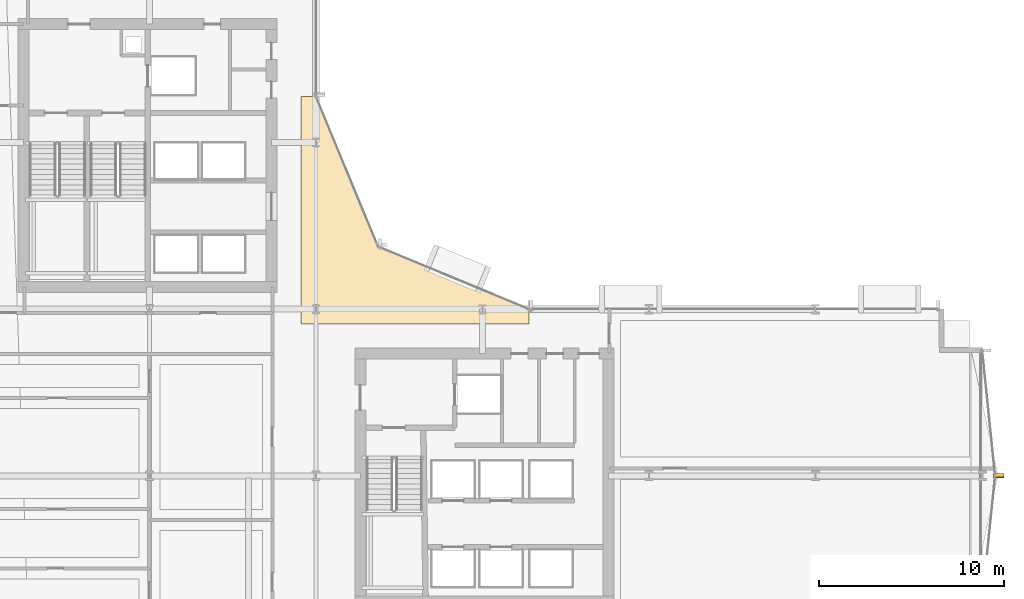
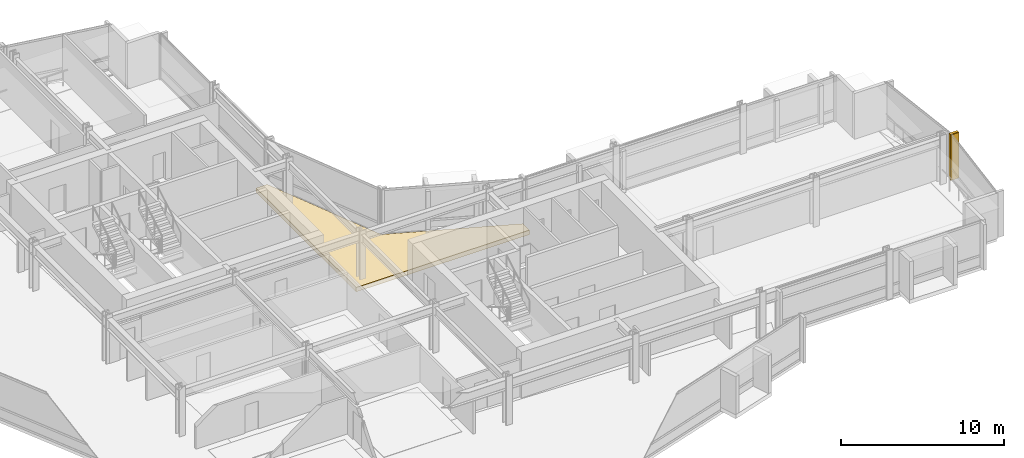
# One storey, part 34 of 34: 3 coverings.
"""IFC4 building model written with IfcOpenShell, lengths in metres."""

from ifc_helpers import new_model, si_unit, direction, frame, origin, origin_2d, place, context, subcontext, project, spatial, polyline, rectangle, outline, extrude, material, layer, layer_set, type_object, element, save


model = new_model("IFC4")

# Units and contexts
model_context = context("Model", 3, precision=1e-05, world=origin(), true_north=direction((0.0, 1.0)))
body_context = subcontext(model_context, "Body", "Model", "MODEL_VIEW")
ifc_project = project(units=[si_unit("LENGTHUNIT", "METRE"), si_unit("AREAUNIT", "SQUARE_METRE"), si_unit("VOLUMEUNIT", "CUBIC_METRE"), si_unit("PLANEANGLEUNIT", "RADIAN"), si_unit("MASSUNIT", "GRAM", prefix="KILO")], contexts=[model_context])

# Site, building, storey
site_placement = place(None, origin())
site = spatial("IfcSite", under=ifc_project, at=site_placement, CompositionType="ELEMENT")
building_placement = place(site_placement, origin())
building = spatial("IfcBuilding", under=site, at=building_placement, Name="Solvaryn Broadcast Tower", CompositionType="ELEMENT")
storey_placement = place(building_placement, frame((0.0, 0.0, 65.60009765625)))
storey = spatial("IfcBuildingStorey", under=building, at=storey_placement, Name="L15", CompositionType="ELEMENT", Elevation=65.60009765625)

# Coverings
ifc_material_1 = material(Name="Extruded Architectural Terracotta Fin", Category="masonry")
ifc_layer_1 = layer(ifc_material_1, 0.179931640625)
ifc_layer_set_1 = layer_set([ifc_layer_1], Name="CV-TC-FIN")
covering_type_1 = type_object("IfcCoveringType", Name="CV-TC-FIN", PredefinedType="USERDEFINED", material=ifc_layer_set_1)
for number, where, z_axis, x_axis, name in (
    (1, (63.884521484375, 18.02978515625, 0.0), (0.0, 0.0, 1.0), (1.0, 0.0, 0.0), "L15 Terracotta Vertical Fin FIN-L15-ET1-M01"),
    (2, (63.884521484375, 17.97021484375, 0.0), (0.0, 0.0, 1.0), (1.0, 0.0, 0.0), "L15 Terracotta Vertical Fin FIN-L15-ET2-M00"),
):
    element("IfcCovering", number, at=place(storey_placement, frame(where, z_axis=z_axis, x_axis=x_axis)), inside=storey, type_object=covering_type_1, Name=name, ObjectType="FIN", PredefinedType="USERDEFINED", context=body_context, shape_type="SweptSolid", body=[
        extrude(rectangle(XDim=0.580078125, YDim=0.179931640625, at=origin_2d()), origin(), (0.0, 0.0, 1.0), 3.419921875),
    ])
ifc_material_2 = material(Name="Sculpted Architectural Terracotta Wave Fascia", Category="masonry")
ifc_layer_2 = layer(ifc_material_2, 0.340087890625)
ifc_layer_set_2 = layer_set([ifc_layer_2], Name="CV-WAVE-TRAY")
covering_type_2 = type_object("IfcCoveringType", Name="CV-WAVE-TRAY", PredefinedType="CLADDING", material=ifc_layer_set_2)
covering_placement = place(storey_placement, frame((0.0, 0.0, -0.300048828125)))
element("IfcCovering", 3, at=covering_placement, inside=storey, type_object=covering_type_2, Name="L15 Concave Canyon Floor Apron", PredefinedType="CLADDING", context=body_context, shape_type="SweptSolid", body=[
    extrude(outline(polyline([(26.199951171875, 26.199951171875), (38.5, 26.199951171875), (38.5, 27.0), (30.367919921875, 30.367919921875), (27.0, 38.5), (26.199951171875, 38.5), (26.199951171875, 26.199951171875)])), origin(), (0.0, 0.0, 1.0), 0.329833984375),
])

save(model, "model.ifc")
